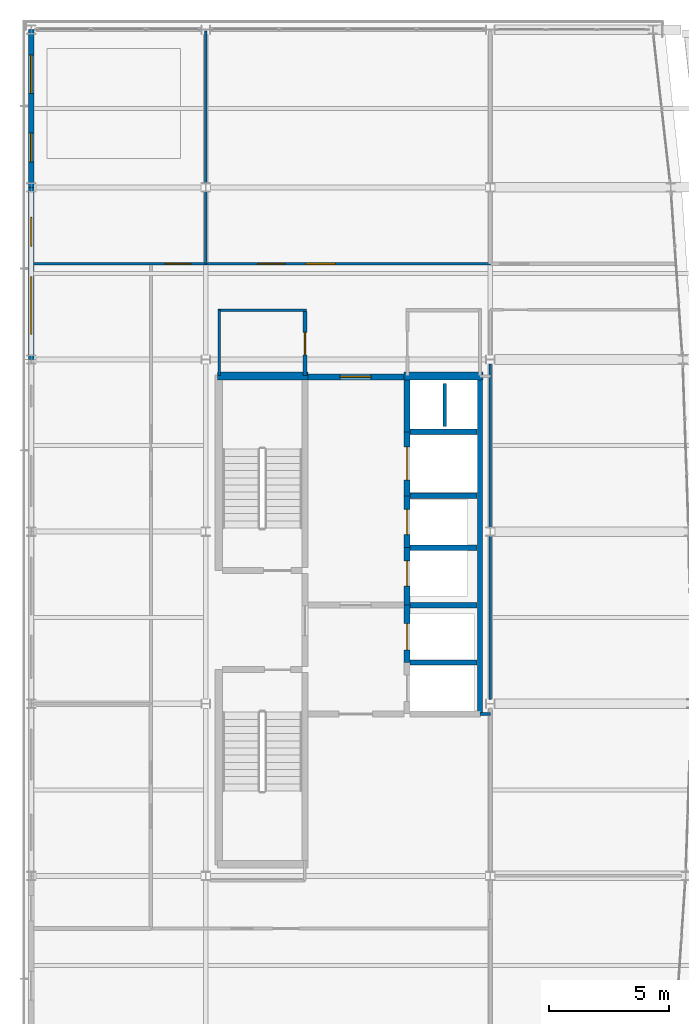
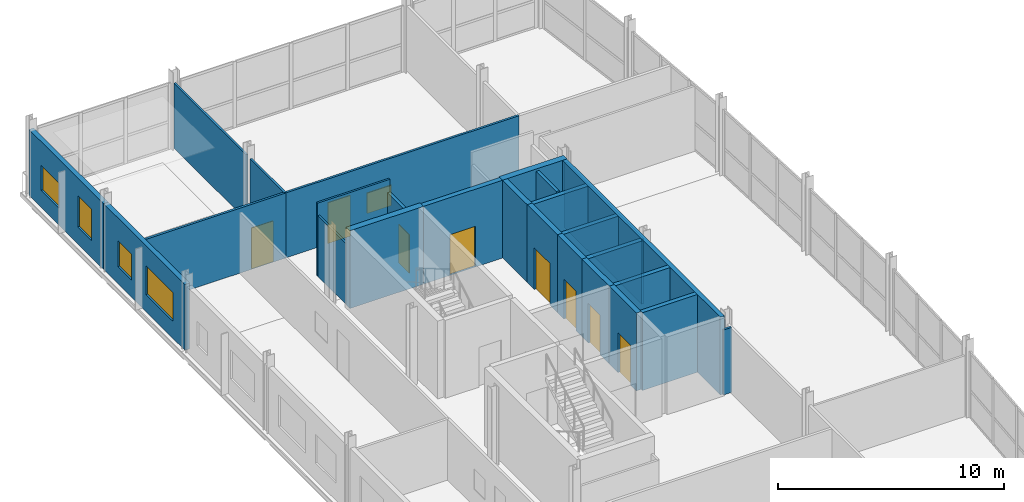
# One storey, part 17 of 23: 27 walls, 8 doors, 5 windows, 13 openings.
"""IFC4 building model written with IfcOpenShell, lengths in metres."""

from ifc_helpers import new_model, si_unit, direction, frame, frame_2d, origin, place, context, subcontext, project, spatial, rectangle, extrude, material, layer, layer_set, type_object, element, fill, save


model = new_model("IFC4")

# Units and contexts
model_context = context("Model", 3, precision=1e-05, world=origin(), true_north=direction((0.0, 1.0)))
body_context = subcontext(model_context, "Body", "Model", "MODEL_VIEW")
ifc_project = project(units=[si_unit("LENGTHUNIT", "METRE"), si_unit("AREAUNIT", "SQUARE_METRE"), si_unit("VOLUMEUNIT", "CUBIC_METRE"), si_unit("PLANEANGLEUNIT", "RADIAN"), si_unit("MASSUNIT", "GRAM", prefix="KILO")], contexts=[model_context])

# Site, building, storey
site_placement = place(None, origin())
site = spatial("IfcSite", under=ifc_project, at=site_placement, CompositionType="ELEMENT")
building_placement = place(site_placement, origin())
building = spatial("IfcBuilding", under=site, at=building_placement, Name="Quillay Park Conservatory", CompositionType="ELEMENT")
storey_placement = place(building_placement, frame((0.0, 0.0, 22.5)))
storey = spatial("IfcBuildingStorey", under=building, at=storey_placement, Name="L05", CompositionType="ELEMENT", Elevation=22.5)

# Walls
ifc_material_1 = material(Name="Steel-Stud Acoustic Gypsum Board Partition", Category="steel")
ifc_layer_1 = layer(ifc_material_1, 0.10009765625)
ifc_layer_set_1 = layer_set([ifc_layer_1], Name="ACOUSTIC GYPSUM PARTITION 100 (Steel-Stud Acoustic Gypsum Board Partition)")
wall_type_1 = type_object("IfcWallType", Name="ACOUSTIC GYPSUM PARTITION 100", PredefinedType="PARTITIONING", material=ifc_layer_set_1)
wall_1_placement = place(storey_placement, frame((8.360107421875, 101.659912109375, 0.0), z_axis=(0.0, 0.0, 1.0), x_axis=(1.0, 0.0, 0.0)))
element("IfcWall", 1, at=wall_1_placement, inside=storey, type_object=wall_type_1, Name="L05 Accessible WC North Wall", PredefinedType="PARTITIONING", context=body_context, shape_type="SweptSolid", body=[
    extrude(rectangle(XDim=3.699951171875, YDim=0.10009765625, at=frame_2d((1.85009765625, 0.0))), origin(), (0.0, 0.0, 1.0), 3.949951171875),
])
wall_2_placement = place(storey_placement, frame((7.85009765625, 113.35009765625, 0.0), z_axis=(0.0, 0.0, 1.0), x_axis=(0.0, -1.0, 0.0)))
element("IfcWall", 2, at=wall_2_placement, inside=storey, type_object=wall_type_1, Name="L05 North Divider 7 N", PredefinedType="PARTITIONING", context=body_context, shape_type="SweptSolid", body=[
    extrude(rectangle(XDim=6.369140625, YDim=0.10009765625, at=frame_2d((3.1845703125, 0.0))), origin(), (0.0, 0.0, 1.0), 3.507080078125),
])
ifc_material_2 = material(Name="Steel-Stud Acoustic Gypsum Board Partition", Category="steel")
ifc_layer_2 = layer(ifc_material_2, 0.10498046875)
ifc_layer_set_2 = layer_set([ifc_layer_2], Name="ACOUSTIC GYPSUM PARTITION 105 (Steel-Stud Acoustic Gypsum Board Partition)")
wall_type_2 = type_object("IfcWallType", Name="ACOUSTIC GYPSUM PARTITION 105", PredefinedType="PARTITIONING", material=ifc_layer_set_2)
wall_3_placement = place(storey_placement, frame((8.419921875, 98.919921875, 0.0), z_axis=(0.0, 0.0, 1.0), x_axis=(0.0, 1.0, 0.0)))
element("IfcWall", 3, at=wall_3_placement, inside=storey, type_object=wall_type_2, Name="L05 Accessible WC West Wall", PredefinedType="PARTITIONING", context=body_context, shape_type="SweptSolid", body=[
    extrude(rectangle(XDim=2.739990234375, YDim=0.10498046875, at=frame_2d((1.3701171875, 0.0))), origin(), (0.0, 0.0, 1.0), 3.277099609375),
])
wall_4_placement = place(storey_placement, frame((7.85009765625, 106.618896484375, 0.0), z_axis=(0.0, 0.0, 1.0), x_axis=(0.0, -1.0, 0.0)))
element("IfcWall", 4, at=wall_4_placement, inside=storey, type_object=wall_type_2, Name="L05 North Divider 7 S", PredefinedType="PARTITIONING", context=body_context, shape_type="SweptSolid", body=[
    extrude(rectangle(XDim=3.018798828125, YDim=0.10498046875, at=frame_2d((1.50927734375, 0.0))), origin(), (0.0, 0.0, 1.0), 3.507080078125),
])

# Wall, openings, window, door
ifc_material_3 = material(Name="Steel-Stud Acoustic Gypsum Board Partition", Category="steel")
ifc_layer_3 = layer(ifc_material_3, 0.110107421875)
ifc_layer_set_3 = layer_set([ifc_layer_3], Name="ACOUSTIC GYPSUM PARTITION 110 (Steel-Stud Acoustic Gypsum Board Partition)")
wall_type_3 = type_object("IfcWallType", Name="ACOUSTIC GYPSUM PARTITION 110", PredefinedType="PARTITIONING", material=ifc_layer_set_3)
wall_5_placement = place(storey_placement, frame((7.85009765625, 103.60009765625, 0.0), z_axis=(0.0, 0.0, 1.0), x_axis=(1.0, 0.0, 0.0)))
wall_5 = element("IfcWall", 5, at=wall_5_placement, inside=storey, type_object=wall_type_3, Name="L05 In-Vitro Plant Tissue Culture Room South Wall", PredefinedType="PARTITIONING", context=body_context, shape_type="SweptSolid", body=[
    extrude(rectangle(XDim=11.89990234375, YDim=0.110107421875, at=frame_2d((5.949951171875, 0.0))), origin(), (0.0, 0.0, 1.0), 3.507080078125),
])
opening_1_placement = place(wall_5_placement, frame((2.175048828125, 0.0, 0.0)))
opening_1 = element("IfcOpeningElement", 6, at=opening_1_placement, cuts=wall_5, Name="Opening D-RM17", PredefinedType="OPENING", context=body_context, shape_type="SweptSolid", body=[
    extrude(rectangle(XDim=1.14990234375, YDim=2.199951171875, at=frame_2d((0.574951171875, 1.10009765625))), frame((0.0, 0.05517578125, 0.0), z_axis=(0.0, -1.0, 0.0), x_axis=(1.0, 0.0, 0.0)), (0.0, 0.0, 1.0), 0.110107421875),
])
opening_2_placement = place(wall_5_placement, frame((4.175048828125, 0.0, 0.919921875)))
opening_2 = element("IfcOpeningElement", 7, at=opening_2_placement, cuts=wall_5, Name="Opening W-IN04", PredefinedType="OPENING", context=body_context, shape_type="SweptSolid", body=[
    extrude(rectangle(XDim=1.25, YDim=1.10009765625, at=frame_2d((0.625, 0.550048828125))), frame((0.0, 0.05517578125, 0.0), z_axis=(0.0, -1.0, 0.0), x_axis=(1.0, 0.0, 0.0)), (0.0, 0.0, 1.0), 0.110107421875),
])
ifc_material_4 = material(Name="Low-E Double Glazing (Laminated Tempered)", Category="glass")
window_type_1 = type_object("IfcWindowType", Name="OPERABLE VENT WINDOW 1250 X1100", PartitioningType="SINGLE_PANEL", PredefinedType="WINDOW", material=ifc_material_4)
window_1_placement = place(opening_2_placement, origin())
window_1 = element("IfcWindow", 8, at=window_1_placement, inside=storey, type_object=window_type_1, Name="L05 Laboratory Vision Panel 028", OverallHeight=1.10009765625, OverallWidth=1.25, PartitioningType="SINGLE_PANEL", PredefinedType="WINDOW", context=body_context, shape_type="SweptSolid", body=[
    extrude(rectangle(XDim=1.25, YDim=1.10009765625, at=frame_2d((0.625, 0.550048828125))), frame((0.0, 0.030029296875, 0.0), z_axis=(0.0, -1.0, 0.0), x_axis=(1.0, 0.0, 0.0)), (0.0, 0.0, 1.0), 0.06005859375),
])
fill(opening_2, window_1)
ifc_material_5 = material(Name="Thermally Broken Anodised Aluminium 6063-T6", Category="aluminium")
door_type_1 = type_object("IfcDoorType", Name="SINGLE SWING DOOR 1150 X2200", OperationType="NOTDEFINED", PredefinedType="DOOR", material=ifc_material_5)
door_1_placement = place(opening_1_placement, origin())
door_1 = element("IfcDoor", 9, at=door_1_placement, inside=storey, type_object=door_type_1, Name="L05 Door to In-Vitro Plant Tissue Culture Room", OperationType="SINGLE_SWING_LEFT", OverallHeight=2.199951171875, OverallWidth=1.14990234375, PredefinedType="DOOR", context=body_context, shape_type="SweptSolid", body=[
    extrude(rectangle(XDim=1.14990234375, YDim=2.199951171875, at=frame_2d((0.574951171875, 1.10009765625))), frame((0.0, 0.02490234375, 0.0), z_axis=(0.0, -1.0, 0.0), x_axis=(1.0, 0.0, 0.0)), (0.0, 0.0, 1.0), 0.050048828125),
])
fill(opening_1, door_1)

# Wall
ifc_material_6 = material(Name="Steel-Stud Acoustic Gypsum Board Partition", Category="steel")
ifc_layer_4 = layer(ifc_material_6, 0.114990234375)
ifc_layer_set_4 = layer_set([ifc_layer_4], Name="ACOUSTIC GYPSUM PARTITION 115 (Steel-Stud Acoustic Gypsum Board Partition)")
wall_type_4 = type_object("IfcWallType", Name="ACOUSTIC GYPSUM PARTITION 115", PredefinedType="PARTITIONING", material=ifc_layer_set_4)
wall_6_placement = place(storey_placement, frame((19.320068359375, 84.77490234375, 0.0), z_axis=(0.0, 0.0, 1.0), x_axis=(1.0, 0.0, 0.0)))
element("IfcWall", 10, at=wall_6_placement, inside=storey, type_object=wall_type_4, Name="L05 Core South-East Closure", PredefinedType="PARTITIONING", context=body_context, shape_type="SweptSolid", body=[
    extrude(rectangle(XDim=0.429931640625, YDim=0.114990234375, at=frame_2d((0.21484375, 0.0))), origin(), (0.0, 0.0, 1.0), 3.507080078125),
])

# Wall, opening, door
wall_7_placement = place(storey_placement, frame((0.64990234375, 103.60009765625, 0.0), z_axis=(0.0, 0.0, 1.0), x_axis=(1.0, 0.0, 0.0)))
wall_7 = element("IfcWall", 11, at=wall_7_placement, inside=storey, type_object=wall_type_4, Name="L05 PCR Amplification Clean Suite South Wall", PredefinedType="PARTITIONING", context=body_context, shape_type="SweptSolid", body=[
    extrude(rectangle(XDim=7.2001953125, YDim=0.114990234375, at=frame_2d((3.60009765625, 0.0))), origin(), (0.0, 0.0, 1.0), 3.507080078125),
])
opening_3_placement = place(wall_7_placement, frame((5.47998046875, 0.0, 0.0)))
opening_3 = element("IfcOpeningElement", 12, at=opening_3_placement, cuts=wall_7, Name="Opening D-RM16", PredefinedType="OPENING", context=body_context, shape_type="SweptSolid", body=[
    extrude(rectangle(XDim=1.10009765625, YDim=2.199951171875, at=frame_2d((0.550048828125, 1.10009765625))), frame((0.0, 0.0576171875, 0.0), z_axis=(0.0, -1.0, 0.0), x_axis=(1.0, 0.0, 0.0)), (0.0, 0.0, 1.0), 0.114990234375),
])
ifc_material_7 = material(Name="Thermally Broken Anodised Aluminium 6063-T6", Category="aluminium")
door_type_2 = type_object("IfcDoorType", Name="SINGLE SWING DOOR 1100 X2200", OperationType="NOTDEFINED", PredefinedType="DOOR", material=ifc_material_7)
door_2_placement = place(opening_3_placement, origin())
door_2 = element("IfcDoor", 13, at=door_2_placement, inside=storey, type_object=door_type_2, Name="L05 Door to PCR Amplification Clean Suite", OperationType="SINGLE_SWING_RIGHT", OverallHeight=2.199951171875, OverallWidth=1.10009765625, PredefinedType="DOOR", context=body_context, shape_type="SweptSolid", body=[
    extrude(rectangle(XDim=1.10009765625, YDim=2.199951171875, at=frame_2d((0.550048828125, 1.10009765625))), frame((0.0, 0.02490234375, 0.0), z_axis=(0.0, -1.0, 0.0), x_axis=(1.0, 0.0, 0.0)), (0.0, 0.0, 1.0), 0.050048828125),
])
fill(opening_3, door_2)

# Walls
wall_8_placement = place(storey_placement, frame((19.75, 92.5810546875, 0.0), z_axis=(0.0, 0.0, 1.0), x_axis=(0.0, 1.0, 0.0)))
element("IfcWall", 14, at=wall_8_placement, inside=storey, type_object=wall_type_4, Name="L05 Centrifuge and Autoclave Instrument Bay West Wall 3", PredefinedType="PARTITIONING", context=body_context, shape_type="SweptSolid", body=[
    extrude(rectangle(XDim=6.8369140625, YDim=0.114990234375, at=frame_2d((3.41845703125, 0.0))), origin(), (0.0, 0.0, 1.0), 3.507080078125),
])
ifc_material_8 = material(Name="Steel-Stud Acoustic Gypsum Board Partition", Category="steel")
ifc_layer_5 = layer(ifc_material_8, 0.1201171875)
ifc_layer_set_5 = layer_set([ifc_layer_5], Name="ACOUSTIC GYPSUM PARTITION 120 (Steel-Stud Acoustic Gypsum Board Partition)")
wall_type_5 = type_object("IfcWallType", Name="ACOUSTIC GYPSUM PARTITION 120", PredefinedType="PARTITIONING", material=ifc_layer_set_5)
wall_9_placement = place(storey_placement, frame((19.75, 85.382080078125, 0.0), z_axis=(0.0, 0.0, 1.0), x_axis=(0.0, 1.0, 0.0)))
element("IfcWall", 15, at=wall_9_placement, inside=storey, type_object=wall_type_5, Name="L05 Centrifuge and Autoclave Instrument Bay West Wall 2", PredefinedType="PARTITIONING", context=body_context, shape_type="SweptSolid", body=[
    extrude(rectangle(XDim=6.8369140625, YDim=0.1201171875, at=frame_2d((3.41845703125, 0.0))), origin(), (0.0, 0.0, 1.0), 3.507080078125),
])

# Wall, opening, door
ifc_material_9 = material(Name="Steel-Stud Acoustic Gypsum Board Partition", Category="steel")
ifc_layer_6 = layer(ifc_material_9, 0.14990234375)
ifc_layer_set_6 = layer_set([ifc_layer_6], Name="ACOUSTIC GYPSUM PARTITION 150 (Steel-Stud Acoustic Gypsum Board Partition)")
wall_type_6 = type_object("IfcWallType", Name="ACOUSTIC GYPSUM PARTITION 150", PredefinedType="PARTITIONING", material=ifc_layer_set_6)
wall_10_placement = place(storey_placement, frame((12.0, 101.60009765625, 0.0), z_axis=(0.0, 0.0, 1.0), x_axis=(0.0, -1.0, 0.0)))
wall_10 = element("IfcWall", 16, at=wall_10_placement, inside=storey, type_object=wall_type_6, Name="L05 Accessible WC Door Wall", PredefinedType="PARTITIONING", context=body_context, shape_type="SweptSolid", body=[
    extrude(rectangle(XDim=2.68017578125, YDim=0.14990234375, at=frame_2d((1.340087890625, 0.0))), origin(), (0.0, 0.0, 1.0), 3.277099609375),
])
opening_4_placement = place(wall_10_placement, frame((0.8701171875, 0.0, 0.0)))
opening_4 = element("IfcOpeningElement", 17, at=opening_4_placement, cuts=wall_10, Name="Opening D-RM32", PredefinedType="OPENING", context=body_context, shape_type="SweptSolid", body=[
    extrude(rectangle(XDim=0.93994140625, YDim=2.080078125, at=frame_2d((0.469970703125, 1.0400390625))), frame((0.0, 0.074951171875, 0.0), z_axis=(0.0, -1.0, 0.0), x_axis=(1.0, 0.0, 0.0)), (0.0, 0.0, 1.0), 0.14990234375),
])
ifc_material_10 = material(Name="Thermally Broken Anodised Aluminium 6063-T6", Category="aluminium")
door_type_3 = type_object("IfcDoorType", Name="SINGLE SWING DOOR 940 X2080", OperationType="NOTDEFINED", PredefinedType="DOOR", material=ifc_material_10)
door_3_placement = place(opening_4_placement, origin())
door_3 = element("IfcDoor", 18, at=door_3_placement, inside=storey, type_object=door_type_3, Name="L05 Door to L05 Accessible WC", OperationType="SINGLE_SWING_LEFT", OverallHeight=2.080078125, OverallWidth=0.93994140625, PredefinedType="DOOR", context=body_context, shape_type="SweptSolid", body=[
    extrude(rectangle(XDim=0.93994140625, YDim=2.080078125, at=frame_2d((0.469970703125, 1.0400390625))), frame((0.0, 0.02490234375, 0.0), z_axis=(0.0, -1.0, 0.0), x_axis=(1.0, 0.0, 0.0)), (0.0, 0.0, 1.0), 0.050048828125),
])
fill(opening_4, door_3)

# Walls
ifc_material_11 = material(Name="Concrete C35/45 (NCh170 Concrete C35/45)", Category="concrete")
ifc_layer_7 = layer(ifc_material_11, 0.22509765625)
ifc_layer_set_7 = layer_set([ifc_layer_7], Name="CORE SHEAR WALL 225 (Concrete C35/45 (NCh170 Concrete C35/45))")
wall_type_7 = type_object("IfcWallType", Name="CORE SHEAR WALL 225", PredefinedType="SHEAR", material=ifc_layer_set_7)
wall_11_placement = place(storey_placement, frame((19.320068359375, 84.800048828125, 0.0), z_axis=(0.0, 0.0, 1.0), x_axis=(0.0, 1.0, 0.0)))
element("IfcWall", 19, at=wall_11_placement, inside=storey, type_object=wall_type_7, Name="L05 Core Shear Wall WL-LFBACK-L05", PredefinedType="SHEAR", context=body_context, shape_type="SweptSolid", body=[
    extrude(rectangle(XDim=13.949951171875, YDim=0.22509765625, at=frame_2d((6.97509765625, 0.0))), origin(), (0.0, 0.0, 1.0), 4.199951171875),
])
for number, where, z_axis, x_axis, name in (
    (20, (16.39990234375, 86.925048828125, 0.0), (0.0, 0.0, 1.0), (1.0, 0.0, 0.0), "L05 Core Shear Wall WL-LFDIV-L05-869"),
    (21, (16.39990234375, 89.324951171875, 0.0), (0.0, 0.0, 1.0), (1.0, 0.0, 0.0), "L05 Core Shear Wall WL-LFDIV-L05-893"),
    (22, (16.39990234375, 91.72509765625, 0.0), (0.0, 0.0, 1.0), (1.0, 0.0, 0.0), "L05 Core Shear Wall WL-LFDIV-L05-917"),
    (23, (16.39990234375, 93.89990234375, 0.0), (0.0, 0.0, 1.0), (1.0, 0.0, 0.0), "L05 Core Shear Wall WL-LFDIV-L05-939"),
    (24, (16.39990234375, 96.574951171875, 0.0), (0.0, 0.0, 1.0), (1.0, 0.0, 0.0), "L05 Core Shear Wall WL-LFDIV-L05-965"),
):
    element("IfcWall", number, at=place(storey_placement, frame(where, z_axis=z_axis, x_axis=x_axis)), inside=storey, type_object=wall_type_7, Name=name, PredefinedType="SHEAR", context=body_context, shape_type="SweptSolid", body=[
        extrude(rectangle(XDim=2.800048828125, YDim=0.22509765625, at=frame_2d((1.39990234375, 0.0))), origin(), (0.0, 0.0, 1.0), 4.199951171875),
    ])

# Wall, opening, door
ifc_material_12 = material(Name="Concrete C40/50 (NCh170 Concrete C40/50)", Category="concrete")
ifc_layer_8 = layer(ifc_material_12, 0.25)
ifc_layer_set_8 = layer_set([ifc_layer_8], Name="CORE SHEAR WALL 250 (Concrete C40/50 (NCh170 Concrete C40/50))")
wall_type_8 = type_object("IfcWallType", Name="CORE SHEAR WALL 250", PredefinedType="SHEAR", material=ifc_layer_set_8)
wall_12_placement = place(storey_placement, frame((12.1201171875, 98.875, 0.0), z_axis=(0.0, 0.0, 1.0), x_axis=(1.0, 0.0, 0.0)))
wall_12 = element("IfcWall", 25, at=wall_12_placement, inside=storey, type_object=wall_type_8, Name="L05 Core Shear Wall WL-PAXN-L05", PredefinedType="SHEAR", context=body_context, shape_type="SweptSolid", body=[
    extrude(rectangle(XDim=4.02978515625, YDim=0.25, at=frame_2d((2.014892578125, 0.0))), origin(), (0.0, 0.0, 1.0), 4.199951171875),
])
opening_5_placement = place(wall_12_placement, frame((1.35009765625, 0.0, 0.0)))
opening_5 = element("IfcOpeningElement", 26, at=opening_5_placement, cuts=wall_12, Name="Opening D-LB02", PredefinedType="OPENING", context=body_context, shape_type="SweptSolid", body=[
    extrude(rectangle(XDim=1.300048828125, YDim=2.199951171875, at=frame_2d((0.64990234375, 1.10009765625))), frame((0.0, 0.125, 0.0), z_axis=(0.0, -1.0, 0.0), x_axis=(1.0, 0.0, 0.0)), (0.0, 0.0, 1.0), 0.25),
])
ifc_material_13 = material(Name="Steel ASTM A572 Grade 50", Category="steel")
door_type_4 = type_object("IfcDoorType", Name="FIRE RATED LOBBY DOOR 1300 X2200", OperationType="NOTDEFINED", PredefinedType="DOOR", material=ifc_material_13)
door_4_placement = place(opening_5_placement, origin())
door_4 = element("IfcDoor", 27, at=door_4_placement, inside=storey, type_object=door_type_4, Name="L05 North Lift Lobby Door", OperationType="SINGLE_SWING_RIGHT", OverallHeight=2.199951171875, OverallWidth=1.300048828125, PredefinedType="DOOR", context=body_context, shape_type="SweptSolid", body=[
    extrude(rectangle(XDim=1.300048828125, YDim=2.199951171875, at=frame_2d((0.64990234375, 1.10009765625))), frame((0.0, 0.02490234375, 0.0), z_axis=(0.0, -1.0, 0.0), x_axis=(1.0, 0.0, 0.0)), (0.0, 0.0, 1.0), 0.050048828125),
])
fill(opening_5, door_4)

wall_13_placement = place(storey_placement, frame((16.27490234375, 86.925048828125, 0.0), z_axis=(0.0, 0.0, 1.0), x_axis=(0.0, 1.0, 0.0)))
wall_13 = element("IfcWall", 28, at=wall_13_placement, inside=storey, type_object=wall_type_8, Name="L05 Core Shear Wall WL-LFFR-L05-LF-FF2", PredefinedType="SHEAR", context=body_context, shape_type="SweptSolid", body=[
    extrude(rectangle(XDim=2.39990234375, YDim=0.25, at=frame_2d((1.199951171875, 0.0))), origin(), (0.0, 0.0, 1.0), 4.199951171875),
])
opening_6_placement = place(wall_13_placement, frame((0.52490234375, 0.0, 0.0)))
opening_6 = element("IfcOpeningElement", 29, at=opening_6_placement, cuts=wall_13, Name="Opening LD01", PredefinedType="OPENING", context=body_context, shape_type="SweptSolid", body=[
    extrude(rectangle(XDim=1.10009765625, YDim=2.14990234375, at=frame_2d((0.550048828125, 1.074951171875))), frame((0.0, 0.125, 0.0), z_axis=(0.0, -1.0, 0.0), x_axis=(1.0, 0.0, 0.0)), (0.0, 0.0, 1.0), 0.25),
])
ifc_material_14 = material(Name="Steel ASTM A572 Grade 50", Category="steel")
door_type_5 = type_object("IfcDoorType", Name="LIFT LANDING SLIDING DOOR 1100 X2150", OperationType="NOTDEFINED", PredefinedType="DOOR", material=ifc_material_14)
door_5_placement = place(opening_6_placement, origin())
door_5 = element("IfcDoor", 30, at=door_5_placement, inside=storey, type_object=door_type_5, Name="L05 LF-FF2 Lift Landing Door LD01", OperationType="SLIDING_TO_LEFT", OverallHeight=2.14990234375, OverallWidth=1.10009765625, PredefinedType="DOOR", context=body_context, shape_type="SweptSolid", body=[
    extrude(rectangle(XDim=1.10009765625, YDim=2.14990234375, at=frame_2d((0.550048828125, 1.074951171875))), frame((0.0, 0.02490234375, 0.0), z_axis=(0.0, -1.0, 0.0), x_axis=(1.0, 0.0, 0.0)), (0.0, 0.0, 1.0), 0.050048828125),
])
fill(opening_6, door_5)

wall_14_placement = place(storey_placement, frame((16.27490234375, 89.324951171875, 0.0), z_axis=(0.0, 0.0, 1.0), x_axis=(0.0, 1.0, 0.0)))
wall_14 = element("IfcWall", 31, at=wall_14_placement, inside=storey, type_object=wall_type_8, Name="L05 Core Shear Wall WL-LFFR-L05-LF-P1", PredefinedType="SHEAR", context=body_context, shape_type="SweptSolid", body=[
    extrude(rectangle(XDim=2.400146484375, YDim=0.25, at=frame_2d((1.2001953125, 0.0))), origin(), (0.0, 0.0, 1.0), 4.199951171875),
])
opening_7_placement = place(wall_14_placement, frame((0.800048828125, 0.0, 0.0)))
opening_7 = element("IfcOpeningElement", 32, at=opening_7_placement, cuts=wall_14, Name="Opening LD02", PredefinedType="OPENING", context=body_context, shape_type="SweptSolid", body=[
    extrude(rectangle(XDim=1.050048828125, YDim=2.14990234375, at=frame_2d((0.52490234375, 1.074951171875))), frame((0.0, 0.125, 0.0), z_axis=(0.0, -1.0, 0.0), x_axis=(1.0, 0.0, 0.0)), (0.0, 0.0, 1.0), 0.25),
])
ifc_material_15 = material(Name="Steel ASTM A572 Grade 50", Category="steel")
door_type_6 = type_object("IfcDoorType", Name="LIFT LANDING SLIDING DOOR 1050 X2150", OperationType="NOTDEFINED", PredefinedType="DOOR", material=ifc_material_15)
door_6_placement = place(opening_7_placement, origin())
door_6 = element("IfcDoor", 33, at=door_6_placement, inside=storey, type_object=door_type_6, Name="L05 LF-P1 Lift Landing Door LD02", OperationType="SLIDING_TO_LEFT", OverallHeight=2.14990234375, OverallWidth=1.050048828125, PredefinedType="DOOR", context=body_context, shape_type="SweptSolid", body=[
    extrude(rectangle(XDim=1.050048828125, YDim=2.14990234375, at=frame_2d((0.52490234375, 1.074951171875))), frame((0.0, 0.02490234375, 0.0), z_axis=(0.0, -1.0, 0.0), x_axis=(1.0, 0.0, 0.0)), (0.0, 0.0, 1.0), 0.050048828125),
])
fill(opening_7, door_6)

wall_15_placement = place(storey_placement, frame((16.27490234375, 91.72509765625, 0.0), z_axis=(0.0, 0.0, 1.0), x_axis=(0.0, 1.0, 0.0)))
wall_15 = element("IfcWall", 34, at=wall_15_placement, inside=storey, type_object=wall_type_8, Name="L05 Core Shear Wall WL-LFFR-L05-LF-P2", PredefinedType="SHEAR", context=body_context, shape_type="SweptSolid", body=[
    extrude(rectangle(XDim=2.1748046875, YDim=0.25, at=frame_2d((1.08740234375, 0.0))), origin(), (0.0, 0.0, 1.0), 4.199951171875),
])
opening_8_placement = place(wall_15_placement, frame((0.550048828125, 0.0, 0.0)))
opening_8 = element("IfcOpeningElement", 35, at=opening_8_placement, cuts=wall_15, Name="Opening LD02", PredefinedType="OPENING", context=body_context, shape_type="SweptSolid", body=[
    extrude(rectangle(XDim=1.050048828125, YDim=2.14990234375, at=frame_2d((0.52490234375, 1.074951171875))), frame((0.0, 0.125, 0.0), z_axis=(0.0, -1.0, 0.0), x_axis=(1.0, 0.0, 0.0)), (0.0, 0.0, 1.0), 0.25),
])
door_7_placement = place(opening_8_placement, origin())
door_7 = element("IfcDoor", 36, at=door_7_placement, inside=storey, type_object=door_type_6, Name="L05 LF-P2 Lift Landing Door LD02", OperationType="SLIDING_TO_LEFT", OverallHeight=2.14990234375, OverallWidth=1.050048828125, PredefinedType="DOOR", context=body_context, shape_type="SweptSolid", body=[
    extrude(rectangle(XDim=1.050048828125, YDim=2.14990234375, at=frame_2d((0.52490234375, 1.074951171875))), frame((0.0, 0.02490234375, 0.0), z_axis=(0.0, -1.0, 0.0), x_axis=(1.0, 0.0, 0.0)), (0.0, 0.0, 1.0), 0.050048828125),
])
fill(opening_8, door_7)

wall_16_placement = place(storey_placement, frame((16.27490234375, 93.89990234375, 0.0), z_axis=(0.0, 0.0, 1.0), x_axis=(0.0, 1.0, 0.0)))
wall_16 = element("IfcWall", 37, at=wall_16_placement, inside=storey, type_object=wall_type_8, Name="L05 Core Shear Wall WL-LFFR-L05-LF-G1", PredefinedType="SHEAR", context=body_context, shape_type="SweptSolid", body=[
    extrude(rectangle(XDim=2.675048828125, YDim=0.25, at=frame_2d((1.33740234375, 0.0))), origin(), (0.0, 0.0, 1.0), 4.199951171875),
])
opening_9_placement = place(wall_16_placement, frame((0.64990234375, 0.0, 0.0)))
opening_9 = element("IfcOpeningElement", 38, at=opening_9_placement, cuts=wall_16, Name="Opening LD03", PredefinedType="OPENING", context=body_context, shape_type="SweptSolid", body=[
    extrude(rectangle(XDim=1.39990234375, YDim=2.25, at=frame_2d((0.699951171875, 1.125))), frame((0.0, 0.125, 0.0), z_axis=(0.0, -1.0, 0.0), x_axis=(1.0, 0.0, 0.0)), (0.0, 0.0, 1.0), 0.25),
])
ifc_material_16 = material(Name="Steel ASTM A572 Grade 50", Category="steel")
door_type_7 = type_object("IfcDoorType", Name="LIFT LANDING SLIDING DOOR 1400 X2250", OperationType="NOTDEFINED", PredefinedType="DOOR", material=ifc_material_16)
door_8_placement = place(opening_9_placement, origin())
door_8 = element("IfcDoor", 39, at=door_8_placement, inside=storey, type_object=door_type_7, Name="L05 LF-G1 Lift Landing Door LD03", OperationType="SLIDING_TO_LEFT", OverallHeight=2.25, OverallWidth=1.39990234375, PredefinedType="DOOR", context=body_context, shape_type="SweptSolid", body=[
    extrude(rectangle(XDim=1.39990234375, YDim=2.25, at=frame_2d((0.699951171875, 1.125))), frame((0.0, 0.02490234375, 0.0), z_axis=(0.0, -1.0, 0.0), x_axis=(1.0, 0.0, 0.0)), (0.0, 0.0, 1.0), 0.050048828125),
])
fill(opening_9, door_8)

# Walls
wall_17_placement = place(storey_placement, frame((16.27490234375, 96.574951171875, 0.0), z_axis=(0.0, 0.0, 1.0), x_axis=(0.0, 1.0, 0.0)))
element("IfcWall", 40, at=wall_17_placement, inside=storey, type_object=wall_type_8, Name="L05 Core Shear Wall WL-MEPR-L05", PredefinedType="SHEAR", context=body_context, shape_type="SweptSolid", body=[
    extrude(rectangle(XDim=2.175048828125, YDim=0.25, at=frame_2d((1.08740234375, 0.0))), origin(), (0.0, 0.0, 1.0), 4.199951171875),
])
ifc_material_17 = material(Name="Concrete C40/50 (NCh170 Concrete C40/50)", Category="concrete")
ifc_layer_9 = layer(ifc_material_17, 0.320068359375)
ifc_layer_set_9 = layer_set([ifc_layer_9], Name="CORE SHEAR WALL 320 (Concrete C40/50 (NCh170 Concrete C40/50))")
wall_type_9 = type_object("IfcWallType", Name="CORE SHEAR WALL 320", PredefinedType="SHEAR", material=ifc_layer_set_9)
wall_18_placement = place(storey_placement, frame((8.35009765625, 98.909912109375, 0.0), z_axis=(0.0, 0.0, 1.0), x_axis=(1.0, 0.0, 0.0)))
element("IfcWall", 41, at=wall_18_placement, inside=storey, type_object=wall_type_9, Name="L05 Core Shear Wall WL-TCN-W-L05", PredefinedType="SHEAR", context=body_context, shape_type="SweptSolid", body=[
    extrude(rectangle(XDim=3.77001953125, YDim=0.320068359375, at=frame_2d((1.885009765625, 0.0))), origin(), (0.0, 0.0, 1.0), 4.199951171875),
])
wall_19_placement = place(storey_placement, frame((16.14990234375, 98.909912109375, 0.0), z_axis=(0.0, 0.0, 1.0), x_axis=(1.0, 0.0, 0.0)))
element("IfcWall", 42, at=wall_19_placement, inside=storey, type_object=wall_type_9, Name="L05 Core Shear Wall WL-TCN-E-L05", PredefinedType="SHEAR", context=body_context, shape_type="SweptSolid", body=[
    extrude(rectangle(XDim=3.300048828125, YDim=0.320068359375, at=frame_2d((1.64990234375, 0.0))), origin(), (0.0, 0.0, 1.0), 4.199951171875),
])

# Wall, openings, windows
ifc_material_18 = material(Name="Glass-Fibre Reinforced Concrete (GRC) Cladding", Category="concrete")
ifc_layer_10 = layer(ifc_material_18, 0.239990234375)
ifc_layer_set_10 = layer_set([ifc_layer_10], Name="EXTERIOR SOLID WALL 240 (Glass-Fibre Reinforced Concrete (GRC) Cladding)")
wall_type_10 = type_object("IfcWallType", Name="EXTERIOR SOLID WALL 240", PredefinedType="SOLIDWALL", material=ifc_layer_set_10)
wall_20_placement = place(storey_placement, frame((0.550048828125, 99.60009765625, 0.0), z_axis=(0.0, 0.0, 1.0), x_axis=(0.0, 1.0, 0.0)))
wall_20 = element("IfcWall", 43, at=wall_20_placement, inside=storey, type_object=wall_type_10, Name="L05 External Wall WL-EXT-V4W-L05-5", PredefinedType="SOLIDWALL", context=body_context, shape_type="SweptSolid", body=[
    extrude(rectangle(XDim=7.199951171875, YDim=0.239990234375, at=frame_2d((3.60009765625, 0.0))), origin(), (0.0, 0.0, 1.0), 3.556884765625),
])
opening_10_placement = place(wall_20_placement, frame((1.054931640625, 0.0, 0.919921875)))
opening_10 = element("IfcOpeningElement", 44, at=opening_10_placement, cuts=wall_20, Name="Opening W-11", PredefinedType="OPENING", context=body_context, shape_type="SweptSolid", body=[
    extrude(rectangle(XDim=2.39990234375, YDim=1.550048828125, at=frame_2d((1.199951171875, 0.77490234375))), frame((0.0, 0.1201171875, 0.0), z_axis=(0.0, -1.0, 0.0), x_axis=(1.0, 0.0, 0.0)), (0.0, 0.0, 1.0), 0.239990234375),
])
opening_11_placement = place(wall_20_placement, frame((4.7451171875, 0.0, 0.919921875)))
opening_11 = element("IfcOpeningElement", 45, at=opening_11_placement, cuts=wall_20, Name="Opening W-01", PredefinedType="OPENING", context=body_context, shape_type="SweptSolid", body=[
    extrude(rectangle(XDim=1.199951171875, YDim=1.39990234375, at=frame_2d((0.60009765625, 0.699951171875))), frame((0.0, 0.1201171875, 0.0), z_axis=(0.0, -1.0, 0.0), x_axis=(1.0, 0.0, 0.0)), (0.0, 0.0, 1.0), 0.239990234375),
])
ifc_material_19 = material(Name="Low-E Double Glazing (Laminated Tempered)", Category="glass")
window_type_2 = type_object("IfcWindowType", Name="FIXED CASEMENT WINDOW 1200 X1400", PartitioningType="SINGLE_PANEL", PredefinedType="WINDOW", material=ifc_material_19)
window_2_placement = place(opening_11_placement, origin())
window_2 = element("IfcWindow", 46, at=window_2_placement, inside=storey, type_object=window_type_2, Name="L05 Exterior Window 0175", OverallHeight=1.39990234375, OverallWidth=1.199951171875, PartitioningType="SINGLE_PANEL", PredefinedType="WINDOW", context=body_context, shape_type="SweptSolid", body=[
    extrude(rectangle(XDim=1.199951171875, YDim=1.39990234375, at=frame_2d((0.60009765625, 0.699951171875))), frame((0.0, 0.030029296875, 0.0), z_axis=(0.0, -1.0, 0.0), x_axis=(1.0, 0.0, 0.0)), (0.0, 0.0, 1.0), 0.06005859375),
])
fill(opening_11, window_2)
ifc_material_20 = material(Name="Low-E Double Glazing (Laminated Tempered)", Category="glass")
window_type_3 = type_object("IfcWindowType", Name="FIXED CASEMENT WINDOW 2400 X1550", PartitioningType="DOUBLE_PANEL_VERTICAL", PredefinedType="WINDOW", material=ifc_material_20)
window_3_placement = place(opening_10_placement, origin())
window_3 = element("IfcWindow", 47, at=window_3_placement, inside=storey, type_object=window_type_3, Name="L05 Exterior Window 0174", OverallHeight=1.550048828125, OverallWidth=2.39990234375, PartitioningType="DOUBLE_PANEL_VERTICAL", PredefinedType="WINDOW", context=body_context, shape_type="SweptSolid", body=[
    extrude(rectangle(XDim=2.39990234375, YDim=1.550048828125, at=frame_2d((1.199951171875, 0.77490234375))), frame((0.0, 0.030029296875, 0.0), z_axis=(0.0, -1.0, 0.0), x_axis=(1.0, 0.0, 0.0)), (0.0, 0.0, 1.0), 0.06005859375),
])
fill(opening_10, window_3)

wall_21_placement = place(storey_placement, frame((0.550048828125, 106.800048828125, 0.0), z_axis=(0.0, 0.0, 1.0), x_axis=(0.0, 1.0, 0.0)))
wall_21 = element("IfcWall", 48, at=wall_21_placement, inside=storey, type_object=wall_type_10, Name="L05 External Wall WL-EXT-V4W-L05-6", PredefinedType="SOLIDWALL", context=body_context, shape_type="SweptSolid", body=[
    extrude(rectangle(XDim=6.599853515625, YDim=0.239990234375, at=frame_2d((3.2998046875, 0.0))), origin(), (0.0, 0.0, 1.0), 3.556884765625),
])
opening_12_placement = place(wall_21_placement, frame((1.070068359375, 0.0, 0.919921875)))
opening_12 = element("IfcOpeningElement", 49, at=opening_12_placement, cuts=wall_21, Name="Opening W-12", PredefinedType="OPENING", context=body_context, shape_type="SweptSolid", body=[
    extrude(rectangle(XDim=1.199951171875, YDim=1.699951171875, at=frame_2d((0.60009765625, 0.85009765625))), frame((0.0, 0.1201171875, 0.0), z_axis=(0.0, -1.0, 0.0), x_axis=(1.0, 0.0, 0.0)), (0.0, 0.0, 1.0), 0.239990234375),
])
opening_13_placement = place(wall_21_placement, frame((3.929931640625, 0.0, 0.919921875)))
opening_13 = element("IfcOpeningElement", 50, at=opening_13_placement, cuts=wall_21, Name="Opening W-19", PredefinedType="OPENING", context=body_context, shape_type="SweptSolid", body=[
    extrude(rectangle(XDim=1.60009765625, YDim=1.35009765625, at=frame_2d((0.800048828125, 0.675048828125))), frame((0.0, 0.1201171875, 0.0), z_axis=(0.0, -1.0, 0.0), x_axis=(1.0, 0.0, 0.0)), (0.0, 0.0, 1.0), 0.239990234375),
])
ifc_material_21 = material(Name="Low-E Double Glazing (Laminated Tempered)", Category="glass")
window_type_4 = type_object("IfcWindowType", Name="FIXED CASEMENT WINDOW 1200 X1700", PartitioningType="SINGLE_PANEL", PredefinedType="WINDOW", material=ifc_material_21)
window_4_placement = place(opening_12_placement, origin())
window_4 = element("IfcWindow", 51, at=window_4_placement, inside=storey, type_object=window_type_4, Name="L05 Exterior Window 0176", OverallHeight=1.699951171875, OverallWidth=1.199951171875, PartitioningType="SINGLE_PANEL", PredefinedType="WINDOW", context=body_context, shape_type="SweptSolid", body=[
    extrude(rectangle(XDim=1.199951171875, YDim=1.699951171875, at=frame_2d((0.60009765625, 0.85009765625))), frame((0.0, 0.030029296875, 0.0), z_axis=(0.0, -1.0, 0.0), x_axis=(1.0, 0.0, 0.0)), (0.0, 0.0, 1.0), 0.06005859375),
])
fill(opening_12, window_4)
ifc_material_22 = material(Name="Low-E Double Glazing (Laminated Tempered)", Category="glass")
window_type_5 = type_object("IfcWindowType", Name="FIXED CASEMENT WINDOW 1600 X1350", PartitioningType="DOUBLE_PANEL_VERTICAL", PredefinedType="WINDOW", material=ifc_material_22)
window_5_placement = place(opening_13_placement, origin())
window_5 = element("IfcWindow", 52, at=window_5_placement, inside=storey, type_object=window_type_5, Name="L05 Exterior Window 0177", OverallHeight=1.35009765625, OverallWidth=1.60009765625, PartitioningType="DOUBLE_PANEL_VERTICAL", PredefinedType="WINDOW", context=body_context, shape_type="SweptSolid", body=[
    extrude(rectangle(XDim=1.60009765625, YDim=1.35009765625, at=frame_2d((0.800048828125, 0.675048828125))), frame((0.0, 0.030029296875, 0.0), z_axis=(0.0, -1.0, 0.0), x_axis=(1.0, 0.0, 0.0)), (0.0, 0.0, 1.0), 0.06005859375),
])
fill(opening_13, window_5)

# Wall
ifc_material_23 = material(Name="Steel-Stud Acoustic Gypsum Board Partition", Category="steel")
ifc_layer_11 = layer(ifc_material_23, 0.155029296875)
ifc_layer_set_11 = layer_set([ifc_layer_11], Name="PLUMBING SHAFT WALL 155 (Steel-Stud Acoustic Gypsum Board Partition)")
wall_type_11 = type_object("IfcWallType", Name="PLUMBING SHAFT WALL 155", PredefinedType="PLUMBINGWALL", material=ifc_layer_set_11)
wall_22_placement = place(storey_placement, frame((17.85009765625, 96.800048828125, 0.0), z_axis=(0.0, 0.0, 1.0), x_axis=(0.0, 1.0, 0.0)))
element("IfcWall", 53, at=wall_22_placement, inside=storey, type_object=wall_type_11, Name="L05 Plumbing Riser Wall", PredefinedType="PLUMBINGWALL", context=body_context, shape_type="SweptSolid", body=[
    extrude(rectangle(XDim=1.800048828125, YDim=0.155029296875, at=frame_2d((0.89990234375, 0.0))), origin(), (0.0, 0.0, 1.0), 4.199951171875),
])

save(model, "model.ifc")
